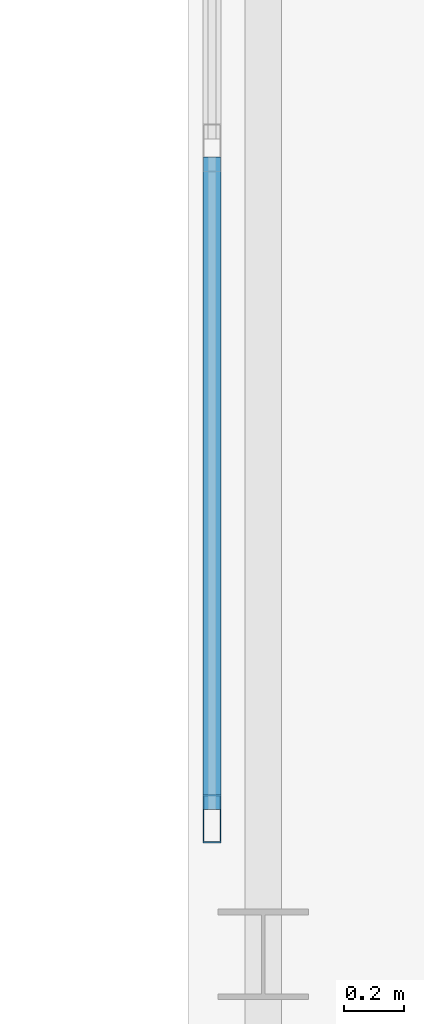
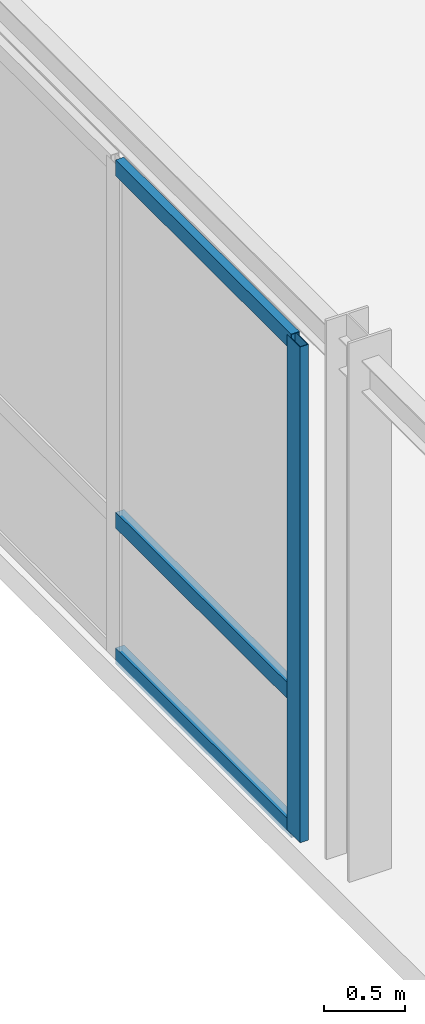
# One storey, part 106 of 165: 4 members, 1 element without a shape of its own.
"""IFC4 building model written with IfcOpenShell, lengths in metres."""

from ifc_helpers import new_model, si_unit, direction, frame, origin, origin_2d, place, context, subcontext, project, spatial, hollow_rectangle, extrude, material, layer, layer_set, material_profile, profile_set, type_object, element, aggregate, save


model = new_model("IFC4")

# Units and contexts
model_context = context("Model", 3, precision=1e-05, world=origin(), true_north=direction((0.0, 1.0)))
body_context = subcontext(model_context, "Body", "Model", "MODEL_VIEW")
ifc_project = project(units=[si_unit("LENGTHUNIT", "METRE"), si_unit("AREAUNIT", "SQUARE_METRE"), si_unit("VOLUMEUNIT", "CUBIC_METRE"), si_unit("PLANEANGLEUNIT", "RADIAN"), si_unit("MASSUNIT", "GRAM", prefix="KILO")], contexts=[model_context])

# Site, building, storey
site_placement = place(None, origin())
site = spatial("IfcSite", under=ifc_project, at=site_placement, CompositionType="ELEMENT")
building_placement = place(site_placement, origin())
building = spatial("IfcBuilding", under=site, at=building_placement, Name="Montecoro Central Library", CompositionType="ELEMENT")
storey_placement = place(building_placement, frame((0.0, 0.0, 5.10009765625)))
storey = spatial("IfcBuildingStorey", under=building, at=storey_placement, Name="L01", CompositionType="ELEMENT", Elevation=5.10009765625)

# Curtain wall, members
ifc_material_1 = material(Name="Bronze-anodised aluminium and low-E glazing", Category="aluminium")
ifc_layer = layer(ifc_material_1, 0.159912109375)
ifc_layer_set = layer_set([ifc_layer], Name="Bronze-anodised aluminium and low-E glazing")
curtain_wall_type = type_object("IfcCurtainWallType", Name="CWT-083", PredefinedType="NOTDEFINED", material=ifc_layer_set)
curtain_wall_placement = place(storey_placement, origin())
curtain_wall = element("IfcCurtainWall", 1, at=curtain_wall_placement, inside=storey, type_object=curtain_wall_type, Name="BR-E-L01-CW-W1", PredefinedType="NOTDEFINED")
ifc_material_2 = material(Name="Bronze-anodised aluminium", Category="aluminium")
ifc_material_profile_1 = material_profile(ifc_material_2, hollow_rectangle(XDim=0.06005859375, YDim=0.159912109375, WallThickness=0.00390625, at=origin_2d()), Name="CWM 160x60x4.0")
ifc_profile_set_1 = profile_set([ifc_material_profile_1], Name="Bronze-anodised aluminium")
member_type_1 = type_object("IfcMemberType", Name="CWM-BRZ-60", PredefinedType="MULLION", material=ifc_profile_set_1)
member_1_placement = place(storey_placement, frame((154.080078125, 51.050048828125, 0.0), z_axis=(0.0, 0.0, 1.0), x_axis=(-1.0, 0.0, 0.0)))
member_1 = element("IfcMember", 2, at=member_1_placement, type_object=member_type_1, Name="CW-083 mullion 1", PredefinedType="MULLION", context=body_context, shape_type="SweptSolid", body=[
    extrude(hollow_rectangle(XDim=0.06005859375, YDim=0.159912109375, WallThickness=0.00390625, at=origin_2d()), origin(), (0.0, 0.0, 1.0), 3.72998046875),
])
ifc_material_profile_2 = material_profile(ifc_material_2, hollow_rectangle(XDim=0.06005859375, YDim=0.1201171875, WallThickness=0.00390625, at=origin_2d()), Name="CWT 120x60x4.0")
ifc_profile_set_2 = profile_set([ifc_material_profile_2], Name="Bronze-anodised aluminium")
member_type_2 = type_object("IfcMemberType", Name="CWT-BRZ-60", PredefinedType="USERDEFINED", material=ifc_profile_set_2)
member_2_placement = place(storey_placement, frame((154.080078125, 51.080078125, 0.02978515625), z_axis=(0.0, 1.0, 0.0), x_axis=(-1.0, 0.0, 0.0)))
member_2 = element("IfcMember", 3, at=member_2_placement, type_object=member_type_2, Name="CW-083 transom 1.1", ObjectType="TRANSOM", PredefinedType="USERDEFINED", context=body_context, shape_type="SweptSolid", body=[
    extrude(hollow_rectangle(XDim=0.06005859375, YDim=0.1201171875, WallThickness=0.00390625, at=origin_2d()), origin(), (0.0, 0.0, 1.0), 2.163330078125),
])
member_3_placement = place(storey_placement, frame((154.080078125, 51.080078125, 1.0498046875), z_axis=(0.0, 1.0, 0.0), x_axis=(-1.0, 0.0, 0.0)))
member_3 = element("IfcMember", 4, at=member_3_placement, type_object=member_type_2, Name="CW-083 transom 1.2", ObjectType="TRANSOM", PredefinedType="USERDEFINED", context=body_context, shape_type="SweptSolid", body=[
    extrude(hollow_rectangle(XDim=0.06005859375, YDim=0.1201171875, WallThickness=0.00390625, at=origin_2d()), origin(), (0.0, 0.0, 1.0), 2.163330078125),
])
member_4_placement = place(storey_placement, frame((154.080078125, 51.080078125, 3.699951171875), z_axis=(0.0, 1.0, 0.0), x_axis=(-1.0, 0.0, 0.0)))
member_4 = element("IfcMember", 5, at=member_4_placement, type_object=member_type_2, Name="CW-083 transom 1.3", ObjectType="TRANSOM", PredefinedType="USERDEFINED", context=body_context, shape_type="SweptSolid", body=[
    extrude(hollow_rectangle(XDim=0.06005859375, YDim=0.1201171875, WallThickness=0.00390625, at=origin_2d()), origin(), (0.0, 0.0, 1.0), 2.163330078125),
])
aggregate(curtain_wall, [member_1, member_2, member_3, member_4])

save(model, "model.ifc")
